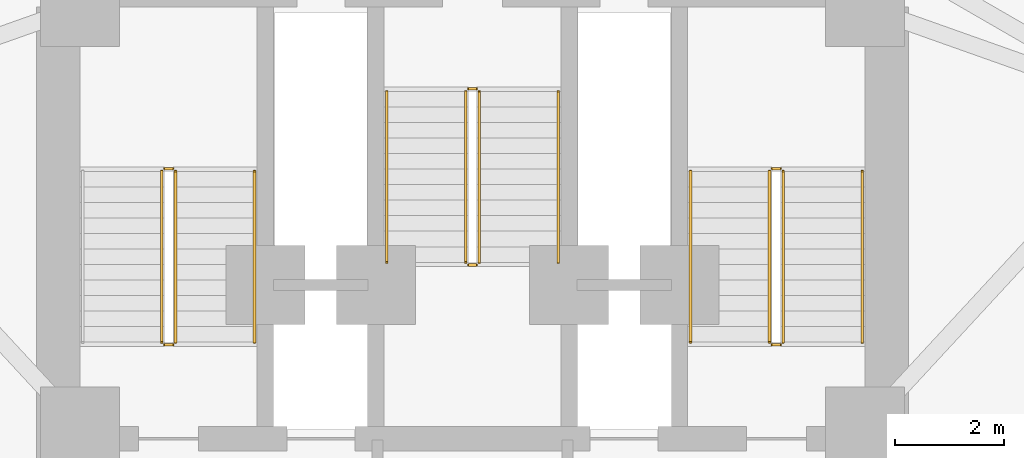
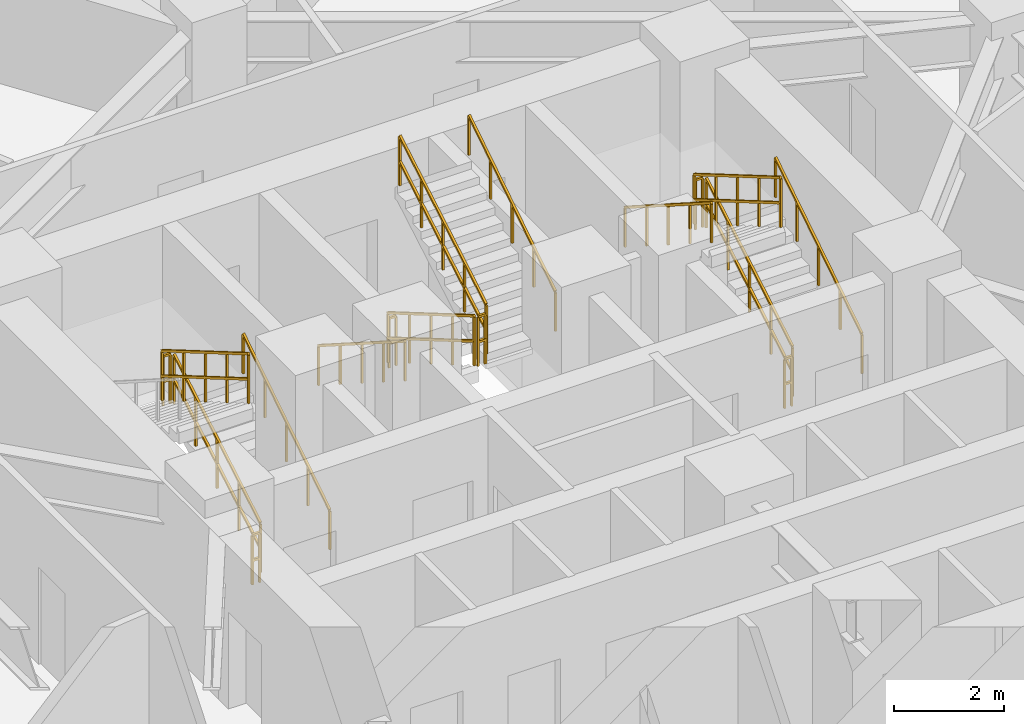
# One storey, part 13 of 14: 17 railings.
"""IFC4 building model written with IfcOpenShell, lengths in metres."""

from ifc_helpers import new_model, si_unit, direction, frame, origin, origin_2d, place, context, subcontext, project, spatial, rectangle, extrude, material, type_object, element, save


model = new_model("IFC4")

# Units and contexts
model_context = context("Model", 3, precision=1e-05, world=origin(), true_north=direction((0.0, 1.0)))
body_context = subcontext(model_context, "Body", "Model", "MODEL_VIEW")
ifc_project = project(units=[si_unit("LENGTHUNIT", "METRE"), si_unit("AREAUNIT", "SQUARE_METRE"), si_unit("VOLUMEUNIT", "CUBIC_METRE"), si_unit("PLANEANGLEUNIT", "RADIAN"), si_unit("MASSUNIT", "GRAM", prefix="KILO")], contexts=[model_context])

# Site, building, storey
site_placement = place(None, origin())
site = spatial("IfcSite", under=ifc_project, at=site_placement, CompositionType="ELEMENT")
building_placement = place(site_placement, origin())
building = spatial("IfcBuilding", under=site, at=building_placement, Name="Apsidion Concourse Tower", CompositionType="ELEMENT")
storey_placement = place(building_placement, frame((0.0, 0.0, 91.0)))
storey = spatial("IfcBuildingStorey", under=building, at=storey_placement, Name="L20", CompositionType="ELEMENT", Elevation=91.0)

# Railings
ifc_material = material(Name="Brushed stainless steel 316", Category="steel")
railing_type_1 = type_object("IfcRailingType", Name="RL-GUARD-1100", PredefinedType="GUARDRAIL", material=ifc_material)
railing_1_placement = place(storey_placement, frame((-5.449951171875, 3.0, 0.166748046875)))
element("IfcRailing", 1, at=railing_1_placement, inside=storey, type_object=railing_type_1, Name="L20 ST1 stair guard 1", PredefinedType="GUARDRAIL", context=body_context, shape_type="SweptSolid", body=[
    extrude(rectangle(XDim=0.048095703125, YDim=0.048095703125, at=origin_2d()), frame((0.0, 0.0, 1.09619140625), z_axis=(0.0, 0.863239559939, 0.504794475164), x_axis=(-1.0, 0.0, 0.0)), (0.0, 0.0, 1.0), 3.631591796875),
    extrude(rectangle(XDim=0.048095703125, YDim=0.048095703125, at=origin_2d()), frame((0.0, 0.0, 0.5361328125), z_axis=(0.0, 0.863239559939, 0.504794475164), x_axis=(-1.0, 0.0, 0.0)), (0.0, 0.0, 1.0), 3.631591796875),
    extrude(rectangle(XDim=0.0419921875, YDim=0.0419921875, at=origin_2d()), origin(), (0.0, 0.0, 1.0), 1.072021484375),
    extrude(rectangle(XDim=0.0419921875, YDim=0.0419921875, at=origin_2d()), frame((0.0, 0.78369140625, 0.458251953125)), (0.0, 0.0, 1.0), 1.072021484375),
    extrude(rectangle(XDim=0.0419921875, YDim=0.0419921875, at=origin_2d()), frame((0.0, 1.5673828125, 0.91650390625)), (0.0, 0.0, 1.0), 1.072021484375),
    extrude(rectangle(XDim=0.0419921875, YDim=0.0419921875, at=origin_2d()), frame((0.0, 2.351318359375, 1.375)), (0.0, 0.0, 1.0), 1.072021484375),
    extrude(rectangle(XDim=0.0419921875, YDim=0.0419921875, at=origin_2d()), frame((0.0, 3.135009765625, 1.833251953125)), (0.0, 0.0, 1.0), 1.072021484375),
])
railing_2_placement = place(storey_placement, frame((-5.5, 6.18505859375, 2.0)))
element("IfcRailing", 2, at=railing_2_placement, inside=storey, type_object=railing_type_1, Name="L20 ST1 stair guard 2", PredefinedType="GUARDRAIL", context=body_context, shape_type="SweptSolid", body=[
    extrude(rectangle(XDim=0.048095703125, YDim=0.048095703125, at=origin_2d()), frame((0.0, 0.0, 1.09619140625), z_axis=(-1.0, 0.0, 0.0), x_axis=(0.0, -1.0, 0.0)), (0.0, 0.0, 1.0), 0.14990234375),
    extrude(rectangle(XDim=0.048095703125, YDim=0.048095703125, at=origin_2d()), frame((0.0, 0.0, 0.5361328125), z_axis=(-1.0, 0.0, 0.0), x_axis=(0.0, -1.0, 0.0)), (0.0, 0.0, 1.0), 0.14990234375),
    extrude(rectangle(XDim=0.0419921875, YDim=0.0419921875, at=origin_2d()), origin(), (0.0, 0.0, 1.0), 1.072021484375),
    extrude(rectangle(XDim=0.0419921875, YDim=0.0419921875, at=origin_2d()), frame((-0.14990234375, 0.0, 0.0)), (0.0, 0.0, 1.0), 1.072021484375),
])
railing_3_placement = place(storey_placement, frame((-5.699951171875, 6.135009765625, 2.166748046875)))
element("IfcRailing", 3, at=railing_3_placement, inside=storey, type_object=railing_type_1, Name="L20 ST1 stair guard 3", PredefinedType="GUARDRAIL", context=body_context, shape_type="SweptSolid", body=[
    extrude(rectangle(XDim=0.048095703125, YDim=0.048095703125, at=origin_2d()), frame((0.0, 0.0, 1.09619140625), z_axis=(0.0, -0.863239559939, 0.504794475164), x_axis=(1.0, 0.0, 0.0)), (0.0, 0.0, 1.0), 3.631591796875),
    extrude(rectangle(XDim=0.048095703125, YDim=0.048095703125, at=origin_2d()), frame((0.0, 0.0, 0.5361328125), z_axis=(0.0, -0.863239559939, 0.504794475164), x_axis=(1.0, 0.0, 0.0)), (0.0, 0.0, 1.0), 3.631591796875),
    extrude(rectangle(XDim=0.0419921875, YDim=0.0419921875, at=origin_2d()), origin(), (0.0, 0.0, 1.0), 1.072021484375),
    extrude(rectangle(XDim=0.0419921875, YDim=0.0419921875, at=origin_2d()), frame((0.0, -0.78369140625, 0.458251953125)), (0.0, 0.0, 1.0), 1.072021484375),
    extrude(rectangle(XDim=0.0419921875, YDim=0.0419921875, at=origin_2d()), frame((0.0, -1.5673828125, 0.91650390625)), (0.0, 0.0, 1.0), 1.072021484375),
    extrude(rectangle(XDim=0.0419921875, YDim=0.0419921875, at=origin_2d()), frame((0.0, -2.351318359375, 1.375)), (0.0, 0.0, 1.0), 1.072021484375),
    extrude(rectangle(XDim=0.0419921875, YDim=0.0419921875, at=origin_2d()), frame((0.0, -3.135009765625, 1.833251953125)), (0.0, 0.0, 1.0), 1.072021484375),
])
railing_4_placement = place(storey_placement, frame((-5.5, 2.949951171875, 0.0)))
element("IfcRailing", 4, at=railing_4_placement, inside=storey, type_object=railing_type_1, Name="L20 ST1 stair guard 4", PredefinedType="GUARDRAIL", context=body_context, shape_type="SweptSolid", body=[
    extrude(rectangle(XDim=0.048095703125, YDim=0.048095703125, at=origin_2d()), frame((0.0, 0.0, 1.09619140625), z_axis=(-1.0, 0.0, 0.0), x_axis=(0.0, -1.0, 0.0)), (0.0, 0.0, 1.0), 0.14990234375),
    extrude(rectangle(XDim=0.048095703125, YDim=0.048095703125, at=origin_2d()), frame((0.0, 0.0, 0.5361328125), z_axis=(-1.0, 0.0, 0.0), x_axis=(0.0, -1.0, 0.0)), (0.0, 0.0, 1.0), 0.14990234375),
    extrude(rectangle(XDim=0.0419921875, YDim=0.0419921875, at=origin_2d()), origin(), (0.0, 0.0, 1.0), 1.072021484375),
    extrude(rectangle(XDim=0.0419921875, YDim=0.0419921875, at=origin_2d()), frame((-0.14990234375, 0.0, 0.0)), (0.0, 0.0, 1.0), 1.072021484375),
])
railing_5_placement = place(storey_placement, frame((5.699951171875, 3.0, 0.166748046875)))
element("IfcRailing", 5, at=railing_5_placement, inside=storey, type_object=railing_type_1, Name="L20 ST2 stair guard 1", PredefinedType="GUARDRAIL", context=body_context, shape_type="SweptSolid", body=[
    extrude(rectangle(XDim=0.048095703125, YDim=0.048095703125, at=origin_2d()), frame((0.0, 0.0, 1.09619140625), z_axis=(0.0, 0.863239559939, 0.504794475164), x_axis=(-1.0, 0.0, 0.0)), (0.0, 0.0, 1.0), 3.631591796875),
    extrude(rectangle(XDim=0.048095703125, YDim=0.048095703125, at=origin_2d()), frame((0.0, 0.0, 0.5361328125), z_axis=(0.0, 0.863239559939, 0.504794475164), x_axis=(-1.0, 0.0, 0.0)), (0.0, 0.0, 1.0), 3.631591796875),
    extrude(rectangle(XDim=0.0419921875, YDim=0.0419921875, at=origin_2d()), origin(), (0.0, 0.0, 1.0), 1.072021484375),
    extrude(rectangle(XDim=0.0419921875, YDim=0.0419921875, at=origin_2d()), frame((0.0, 0.78369140625, 0.458251953125)), (0.0, 0.0, 1.0), 1.072021484375),
    extrude(rectangle(XDim=0.0419921875, YDim=0.0419921875, at=origin_2d()), frame((0.0, 1.5673828125, 0.91650390625)), (0.0, 0.0, 1.0), 1.072021484375),
    extrude(rectangle(XDim=0.0419921875, YDim=0.0419921875, at=origin_2d()), frame((0.0, 2.351318359375, 1.375)), (0.0, 0.0, 1.0), 1.072021484375),
    extrude(rectangle(XDim=0.0419921875, YDim=0.0419921875, at=origin_2d()), frame((0.0, 3.135009765625, 1.833251953125)), (0.0, 0.0, 1.0), 1.072021484375),
])
railing_6_placement = place(storey_placement, frame((5.64990234375, 6.18505859375, 2.0)))
element("IfcRailing", 6, at=railing_6_placement, inside=storey, type_object=railing_type_1, Name="L20 ST2 stair guard 2", PredefinedType="GUARDRAIL", context=body_context, shape_type="SweptSolid", body=[
    extrude(rectangle(XDim=0.048095703125, YDim=0.048095703125, at=origin_2d()), frame((0.0, 0.0, 1.09619140625), z_axis=(-1.0, 0.0, 0.0), x_axis=(0.0, -1.0, 0.0)), (0.0, 0.0, 1.0), 0.14990234375),
    extrude(rectangle(XDim=0.048095703125, YDim=0.048095703125, at=origin_2d()), frame((0.0, 0.0, 0.5361328125), z_axis=(-1.0, 0.0, 0.0), x_axis=(0.0, -1.0, 0.0)), (0.0, 0.0, 1.0), 0.14990234375),
    extrude(rectangle(XDim=0.0419921875, YDim=0.0419921875, at=origin_2d()), origin(), (0.0, 0.0, 1.0), 1.072021484375),
    extrude(rectangle(XDim=0.0419921875, YDim=0.0419921875, at=origin_2d()), frame((-0.14990234375, 0.0, 0.0)), (0.0, 0.0, 1.0), 1.072021484375),
])
railing_7_placement = place(storey_placement, frame((5.449951171875, 6.135009765625, 2.166748046875)))
element("IfcRailing", 7, at=railing_7_placement, inside=storey, type_object=railing_type_1, Name="L20 ST2 stair guard 3", PredefinedType="GUARDRAIL", context=body_context, shape_type="SweptSolid", body=[
    extrude(rectangle(XDim=0.048095703125, YDim=0.048095703125, at=origin_2d()), frame((0.0, 0.0, 1.09619140625), z_axis=(0.0, -0.863239559939, 0.504794475164), x_axis=(1.0, 0.0, 0.0)), (0.0, 0.0, 1.0), 3.631591796875),
    extrude(rectangle(XDim=0.048095703125, YDim=0.048095703125, at=origin_2d()), frame((0.0, 0.0, 0.5361328125), z_axis=(0.0, -0.863239559939, 0.504794475164), x_axis=(1.0, 0.0, 0.0)), (0.0, 0.0, 1.0), 3.631591796875),
    extrude(rectangle(XDim=0.0419921875, YDim=0.0419921875, at=origin_2d()), origin(), (0.0, 0.0, 1.0), 1.072021484375),
    extrude(rectangle(XDim=0.0419921875, YDim=0.0419921875, at=origin_2d()), frame((0.0, -0.78369140625, 0.458251953125)), (0.0, 0.0, 1.0), 1.072021484375),
    extrude(rectangle(XDim=0.0419921875, YDim=0.0419921875, at=origin_2d()), frame((0.0, -1.5673828125, 0.91650390625)), (0.0, 0.0, 1.0), 1.072021484375),
    extrude(rectangle(XDim=0.0419921875, YDim=0.0419921875, at=origin_2d()), frame((0.0, -2.351318359375, 1.375)), (0.0, 0.0, 1.0), 1.072021484375),
    extrude(rectangle(XDim=0.0419921875, YDim=0.0419921875, at=origin_2d()), frame((0.0, -3.135009765625, 1.833251953125)), (0.0, 0.0, 1.0), 1.072021484375),
])
railing_8_placement = place(storey_placement, frame((5.64990234375, 2.949951171875, 0.0)))
element("IfcRailing", 8, at=railing_8_placement, inside=storey, type_object=railing_type_1, Name="L20 ST2 stair guard 4", PredefinedType="GUARDRAIL", context=body_context, shape_type="SweptSolid", body=[
    extrude(rectangle(XDim=0.048095703125, YDim=0.048095703125, at=origin_2d()), frame((0.0, 0.0, 1.09619140625), z_axis=(-1.0, 0.0, 0.0), x_axis=(0.0, -1.0, 0.0)), (0.0, 0.0, 1.0), 0.14990234375),
    extrude(rectangle(XDim=0.048095703125, YDim=0.048095703125, at=origin_2d()), frame((0.0, 0.0, 0.5361328125), z_axis=(-1.0, 0.0, 0.0), x_axis=(0.0, -1.0, 0.0)), (0.0, 0.0, 1.0), 0.14990234375),
    extrude(rectangle(XDim=0.0419921875, YDim=0.0419921875, at=origin_2d()), origin(), (0.0, 0.0, 1.0), 1.072021484375),
    extrude(rectangle(XDim=0.0419921875, YDim=0.0419921875, at=origin_2d()), frame((-0.14990234375, 0.0, 0.0)), (0.0, 0.0, 1.0), 1.072021484375),
])
railing_9_placement = place(storey_placement, frame((-0.125, 7.60009765625, 0.166748046875)))
element("IfcRailing", 9, at=railing_9_placement, inside=storey, type_object=railing_type_1, Name="L20 ST3 stair guard 1", PredefinedType="GUARDRAIL", context=body_context, shape_type="SweptSolid", body=[
    extrude(rectangle(XDim=0.048095703125, YDim=0.048095703125, at=origin_2d()), frame((0.0, 0.0, 1.09619140625), z_axis=(0.0, -0.863239559939, 0.504794475164), x_axis=(1.0, 0.0, 0.0)), (0.0, 0.0, 1.0), 3.631591796875),
    extrude(rectangle(XDim=0.048095703125, YDim=0.048095703125, at=origin_2d()), frame((0.0, 0.0, 0.5361328125), z_axis=(0.0, -0.863239559939, 0.504794475164), x_axis=(1.0, 0.0, 0.0)), (0.0, 0.0, 1.0), 3.631591796875),
    extrude(rectangle(XDim=0.0419921875, YDim=0.0419921875, at=origin_2d()), origin(), (0.0, 0.0, 1.0), 1.072021484375),
    extrude(rectangle(XDim=0.0419921875, YDim=0.0419921875, at=origin_2d()), frame((0.0, -0.78369140625, 0.458251953125)), (0.0, 0.0, 1.0), 1.072021484375),
    extrude(rectangle(XDim=0.0419921875, YDim=0.0419921875, at=origin_2d()), frame((0.0, -1.5673828125, 0.91650390625)), (0.0, 0.0, 1.0), 1.072021484375),
    extrude(rectangle(XDim=0.0419921875, YDim=0.0419921875, at=origin_2d()), frame((0.0, -2.351318359375, 1.375)), (0.0, 0.0, 1.0), 1.072021484375),
    extrude(rectangle(XDim=0.0419921875, YDim=0.0419921875, at=origin_2d()), frame((0.0, -3.135009765625, 1.833251953125)), (0.0, 0.0, 1.0), 1.072021484375),
])
railing_10_placement = place(storey_placement, frame((-0.074951171875, 4.4150390625, 2.0)))
element("IfcRailing", 10, at=railing_10_placement, inside=storey, type_object=railing_type_1, Name="L20 ST3 stair guard 2", PredefinedType="GUARDRAIL", context=body_context, shape_type="SweptSolid", body=[
    extrude(rectangle(XDim=0.048095703125, YDim=0.048095703125, at=origin_2d()), frame((0.0, 0.0, 1.09619140625), z_axis=(1.0, 0.0, 0.0), x_axis=(0.0, 1.0, 0.0)), (0.0, 0.0, 1.0), 0.14990234375),
    extrude(rectangle(XDim=0.048095703125, YDim=0.048095703125, at=origin_2d()), frame((0.0, 0.0, 0.5361328125), z_axis=(1.0, 0.0, 0.0), x_axis=(0.0, 1.0, 0.0)), (0.0, 0.0, 1.0), 0.14990234375),
    extrude(rectangle(XDim=0.0419921875, YDim=0.0419921875, at=origin_2d()), origin(), (0.0, 0.0, 1.0), 1.072021484375),
    extrude(rectangle(XDim=0.0419921875, YDim=0.0419921875, at=origin_2d()), frame((0.14990234375, 0.0, 0.0)), (0.0, 0.0, 1.0), 1.072021484375),
])
railing_11_placement = place(storey_placement, frame((0.125, 4.465087890625, 2.166748046875)))
element("IfcRailing", 11, at=railing_11_placement, inside=storey, type_object=railing_type_1, Name="L20 ST3 stair guard 3", PredefinedType="GUARDRAIL", context=body_context, shape_type="SweptSolid", body=[
    extrude(rectangle(XDim=0.048095703125, YDim=0.048095703125, at=origin_2d()), frame((0.0, 0.0, 1.09619140625), z_axis=(0.0, 0.863239559939, 0.504794475164), x_axis=(-1.0, 0.0, 0.0)), (0.0, 0.0, 1.0), 3.631591796875),
    extrude(rectangle(XDim=0.048095703125, YDim=0.048095703125, at=origin_2d()), frame((0.0, 0.0, 0.5361328125), z_axis=(0.0, 0.863239559939, 0.504794475164), x_axis=(-1.0, 0.0, 0.0)), (0.0, 0.0, 1.0), 3.631591796875),
    extrude(rectangle(XDim=0.0419921875, YDim=0.0419921875, at=origin_2d()), origin(), (0.0, 0.0, 1.0), 1.072021484375),
    extrude(rectangle(XDim=0.0419921875, YDim=0.0419921875, at=origin_2d()), frame((0.0, 0.78369140625, 0.458251953125)), (0.0, 0.0, 1.0), 1.072021484375),
    extrude(rectangle(XDim=0.0419921875, YDim=0.0419921875, at=origin_2d()), frame((0.0, 1.5673828125, 0.91650390625)), (0.0, 0.0, 1.0), 1.072021484375),
    extrude(rectangle(XDim=0.0419921875, YDim=0.0419921875, at=origin_2d()), frame((0.0, 2.351318359375, 1.375)), (0.0, 0.0, 1.0), 1.072021484375),
    extrude(rectangle(XDim=0.0419921875, YDim=0.0419921875, at=origin_2d()), frame((0.0, 3.135009765625, 1.833251953125)), (0.0, 0.0, 1.0), 1.072021484375),
])
railing_12_placement = place(storey_placement, frame((-0.074951171875, 7.64990234375, 0.0)))
element("IfcRailing", 12, at=railing_12_placement, inside=storey, type_object=railing_type_1, Name="L20 ST3 stair guard 4", PredefinedType="GUARDRAIL", context=body_context, shape_type="SweptSolid", body=[
    extrude(rectangle(XDim=0.048095703125, YDim=0.048095703125, at=origin_2d()), frame((0.0, 0.0, 1.09619140625), z_axis=(1.0, 0.0, 0.0), x_axis=(0.0, 1.0, 0.0)), (0.0, 0.0, 1.0), 0.14990234375),
    extrude(rectangle(XDim=0.048095703125, YDim=0.048095703125, at=origin_2d()), frame((0.0, 0.0, 0.5361328125), z_axis=(1.0, 0.0, 0.0), x_axis=(0.0, 1.0, 0.0)), (0.0, 0.0, 1.0), 0.14990234375),
    extrude(rectangle(XDim=0.0419921875, YDim=0.0419921875, at=origin_2d()), origin(), (0.0, 0.0, 1.0), 1.072021484375),
    extrude(rectangle(XDim=0.0419921875, YDim=0.0419921875, at=origin_2d()), frame((0.14990234375, 0.0, 0.0)), (0.0, 0.0, 1.0), 1.072021484375),
])
railing_type_2 = type_object("IfcRailingType", Name="RL-HAND-900", PredefinedType="HANDRAIL", material=ifc_material)
for number, where, name in (
    (13, (-4.0, 3.0, 0.166748046875), "L20 ST1 stair handrail 1"),
    (14, (7.14990234375, 3.0, 0.166748046875), "L20 ST2 stair handrail 1"),
):
    element("IfcRailing", number, at=place(storey_placement, frame(where)), inside=storey, type_object=railing_type_2, Name=name, PredefinedType="HANDRAIL", context=body_context, shape_type="SweptSolid", body=[
        extrude(rectangle(XDim=0.048095703125, YDim=0.048095703125, at=origin_2d()), frame((0.0, 0.0, 0.8759765625), z_axis=(0.0, 0.843052688722, 0.537830980921), x_axis=(-1.0, 0.0, 0.0)), (0.0, 0.0, 1.0), 3.71875),
        extrude(rectangle(XDim=0.0419921875, YDim=0.0419921875, at=origin_2d()), origin(), (0.0, 0.0, 1.0), 0.851806640625),
        extrude(rectangle(XDim=0.0419921875, YDim=0.0419921875, at=origin_2d()), frame((0.0, 0.78369140625, 0.5)), (0.0, 0.0, 1.0), 0.851806640625),
        extrude(rectangle(XDim=0.0419921875, YDim=0.0419921875, at=origin_2d()), frame((0.0, 1.5673828125, 1.0)), (0.0, 0.0, 1.0), 0.851806640625),
        extrude(rectangle(XDim=0.0419921875, YDim=0.0419921875, at=origin_2d()), frame((0.0, 2.351318359375, 1.5)), (0.0, 0.0, 1.0), 0.851806640625),
        extrude(rectangle(XDim=0.0419921875, YDim=0.0419921875, at=origin_2d()), frame((0.0, 3.135009765625, 2.0)), (0.0, 0.0, 1.0), 0.851806640625),
    ])
for number, where, name in (
    (15, (4.0, 6.135009765625, 2.166748046875), "L20 ST2 stair handrail 2"),
    (16, (-1.574951171875, 7.60009765625, 0.166748046875), "L20 ST3 stair handrail 1"),
):
    element("IfcRailing", number, at=place(storey_placement, frame(where)), inside=storey, type_object=railing_type_2, Name=name, PredefinedType="HANDRAIL", context=body_context, shape_type="SweptSolid", body=[
        extrude(rectangle(XDim=0.048095703125, YDim=0.048095703125, at=origin_2d()), frame((0.0, 0.0, 0.8759765625), z_axis=(0.0, -0.843052688722, 0.537830980921), x_axis=(1.0, 0.0, 0.0)), (0.0, 0.0, 1.0), 3.71875),
        extrude(rectangle(XDim=0.0419921875, YDim=0.0419921875, at=origin_2d()), origin(), (0.0, 0.0, 1.0), 0.851806640625),
        extrude(rectangle(XDim=0.0419921875, YDim=0.0419921875, at=origin_2d()), frame((0.0, -0.78369140625, 0.5)), (0.0, 0.0, 1.0), 0.851806640625),
        extrude(rectangle(XDim=0.0419921875, YDim=0.0419921875, at=origin_2d()), frame((0.0, -1.5673828125, 1.0)), (0.0, 0.0, 1.0), 0.851806640625),
        extrude(rectangle(XDim=0.0419921875, YDim=0.0419921875, at=origin_2d()), frame((0.0, -2.351318359375, 1.5)), (0.0, 0.0, 1.0), 0.851806640625),
        extrude(rectangle(XDim=0.0419921875, YDim=0.0419921875, at=origin_2d()), frame((0.0, -3.135009765625, 2.0)), (0.0, 0.0, 1.0), 0.851806640625),
    ])
railing_13_placement = place(storey_placement, frame((1.574951171875, 4.465087890625, 2.166748046875)))
element("IfcRailing", 17, at=railing_13_placement, inside=storey, type_object=railing_type_2, Name="L20 ST3 stair handrail 2", PredefinedType="HANDRAIL", context=body_context, shape_type="SweptSolid", body=[
    extrude(rectangle(XDim=0.048095703125, YDim=0.048095703125, at=origin_2d()), frame((0.0, 0.0, 0.8759765625), z_axis=(0.0, 0.843052688722, 0.537830980921), x_axis=(-1.0, 0.0, 0.0)), (0.0, 0.0, 1.0), 3.71875),
    extrude(rectangle(XDim=0.0419921875, YDim=0.0419921875, at=origin_2d()), origin(), (0.0, 0.0, 1.0), 0.851806640625),
    extrude(rectangle(XDim=0.0419921875, YDim=0.0419921875, at=origin_2d()), frame((0.0, 0.78369140625, 0.5)), (0.0, 0.0, 1.0), 0.851806640625),
    extrude(rectangle(XDim=0.0419921875, YDim=0.0419921875, at=origin_2d()), frame((0.0, 1.5673828125, 1.0)), (0.0, 0.0, 1.0), 0.851806640625),
    extrude(rectangle(XDim=0.0419921875, YDim=0.0419921875, at=origin_2d()), frame((0.0, 2.351318359375, 1.5)), (0.0, 0.0, 1.0), 0.851806640625),
    extrude(rectangle(XDim=0.0419921875, YDim=0.0419921875, at=origin_2d()), frame((0.0, 3.135009765625, 2.0)), (0.0, 0.0, 1.0), 0.851806640625),
])

save(model, "model.ifc")
